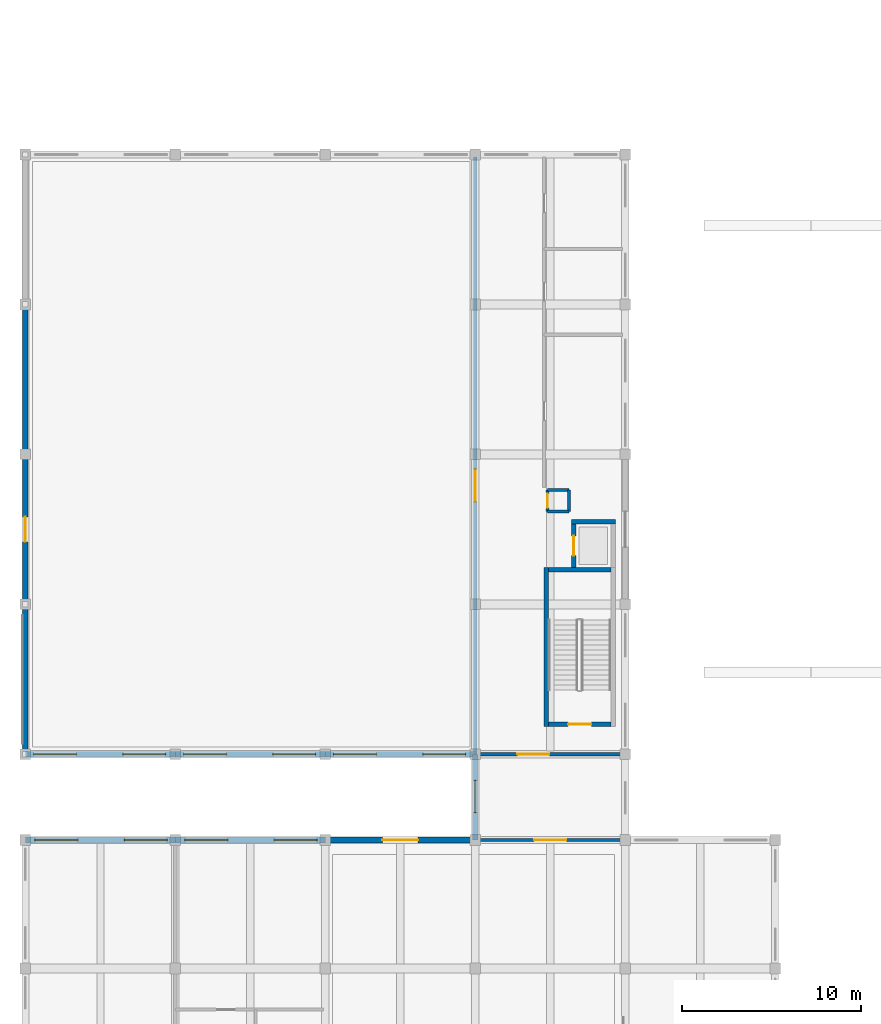
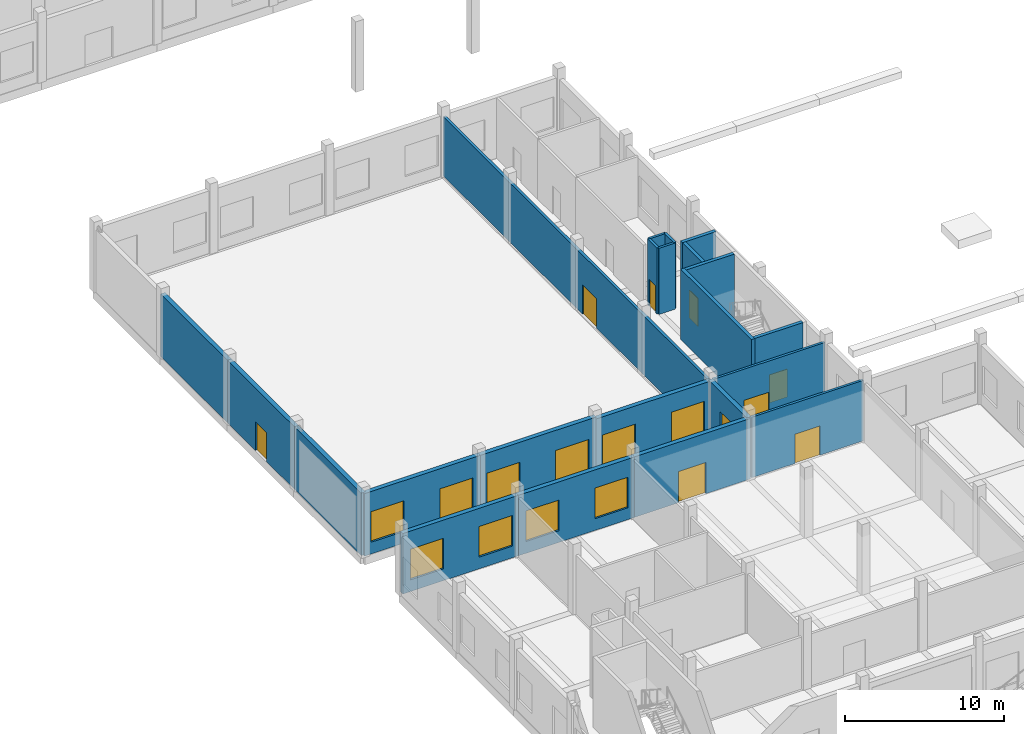
# One storey, part 17 of 41: 22 walls, 11 windows, 8 doors, 19 openings.
"""IFC4 building model written with IfcOpenShell, lengths in metres."""

from ifc_helpers import new_model, si_unit, direction, frame, frame_2d, origin, place, context, subcontext, project, spatial, rectangle, extrude, material, layer, layer_set, type_object, element, fill, save


model = new_model("IFC4")

# Units and contexts
model_context = context("Model", 3, precision=1e-05, world=origin(), true_north=direction((0.0, 1.0)))
body_context = subcontext(model_context, "Body", "Model", "MODEL_VIEW")
ifc_project = project(units=[si_unit("LENGTHUNIT", "METRE"), si_unit("AREAUNIT", "SQUARE_METRE"), si_unit("VOLUMEUNIT", "CUBIC_METRE"), si_unit("PLANEANGLEUNIT", "RADIAN"), si_unit("MASSUNIT", "GRAM", prefix="KILO")], contexts=[model_context])

# Site, building, storey
site_placement = place(None, origin())
site = spatial("IfcSite", under=ifc_project, at=site_placement, CompositionType="ELEMENT")
building_placement = place(site_placement, origin())
building = spatial("IfcBuilding", under=site, at=building_placement, Name="Kahlenmark Community Centre", CompositionType="ELEMENT")
storey_placement = place(building_placement, origin())
storey = spatial("IfcBuildingStorey", under=building, at=storey_placement, Name="L00", CompositionType="ELEMENT", Elevation=0.0)

# Wall, opening, door
ifc_material_1 = material(Name="Concrete C35/45", Category="concrete")
ifc_layer_1 = layer(ifc_material_1, 0.25)
ifc_layer_set_1 = layer_set([ifc_layer_1], Name="Concrete C35/45")
wall_type_1 = type_object("IfcWallType", Name="WT-CORE-250", PredefinedType="SHEAR", material=ifc_layer_set_1)
wall_1_placement = place(storey_placement, frame((33.300048828125, 44.074951171875, 0.0), z_axis=(0.0, 0.0, 1.0), x_axis=(1.0, 0.0, 0.0)))
wall_1 = element("IfcWall", 1, at=wall_1_placement, inside=storey, type_object=wall_type_1, Name="Core K2 shear wall WL-CORE-K2-L00-0043", PredefinedType="SHEAR", context=body_context, shape_type="SweptSolid", body=[
    extrude(rectangle(XDim=3.5, YDim=0.25, at=frame_2d((1.75, 0.0))), origin(), (0.0, 0.0, 1.0), 5.39990234375),
])
opening_1_placement = place(wall_1_placement, frame((1.10009765625, 0.0, -0.010009765625)))
opening_1 = element("IfcOpeningElement", 2, at=opening_1_placement, cuts=wall_1, Name="Opening FD-K2-L00", PredefinedType="OPENING", context=body_context, shape_type="SweptSolid", body=[
    extrude(rectangle(XDim=1.300048828125, YDim=2.159912109375, at=frame_2d((0.64990234375, 1.080078125))), frame((0.0, 0.135009765625, 0.0), z_axis=(0.0, -1.0, 0.0), x_axis=(1.0, 0.0, 0.0)), (0.0, 0.0, 1.0), 0.27001953125),
])
ifc_material_2 = material(Name="Fire-rated steel-framed timber door FD60S", Category="steel")
door_type_1 = type_object("IfcDoorType", Name="DT-FD-K2-L00", OperationType="NOTDEFINED", PredefinedType="DOOR", material=ifc_material_2)
door_1_placement = place(opening_1_placement, frame((1.300048828125, 0.0, 0.010009765625), z_axis=(0.0, 0.0, 1.0), x_axis=(-1.0, 0.0, 0.0)))
door_1 = element("IfcDoor", 3, at=door_1_placement, inside=storey, type_object=door_type_1, Name="Core K2 stair fire door L00", OperationType="SINGLE_SWING_LEFT", OverallHeight=2.14990234375, OverallWidth=1.300048828125, PredefinedType="DOOR", context=body_context, shape_type="SweptSolid", body=[
    extrude(rectangle(XDim=1.300048828125, YDim=2.14990234375, at=frame_2d((0.64990234375, 1.074951171875))), frame((0.0, 0.02490234375, 0.0), z_axis=(0.0, -1.0, 0.0), x_axis=(1.0, 0.0, 0.0)), (0.0, 0.0, 1.0), 0.050048828125),
])
fill(opening_1, door_1)

# Walls
wall_2_placement = place(storey_placement, frame((33.175048828125, 43.949951171875, 0.0), z_axis=(0.0, 0.0, 1.0), x_axis=(0.0, 1.0, 0.0)))
element("IfcWall", 4, at=wall_2_placement, inside=storey, type_object=wall_type_1, Name="Core K2 shear wall WL-CORE-K2-L00-0044", PredefinedType="SHEAR", context=body_context, shape_type="SweptSolid", body=[
    extrude(rectangle(XDim=8.900146484375, YDim=0.25, at=frame_2d((4.4501953125, 0.0))), origin(), (0.0, 0.0, 1.0), 5.39990234375),
])
wall_3_placement = place(storey_placement, frame((36.800048828125, 52.72509765625, 0.0), z_axis=(0.0, 0.0, 1.0), x_axis=(-1.0, 0.0, 0.0)))
element("IfcWall", 5, at=wall_3_placement, inside=storey, type_object=wall_type_1, Name="Core K2 shear wall WL-CORE-K2-L00-0045", PredefinedType="SHEAR", context=body_context, shape_type="SweptSolid", body=[
    extrude(rectangle(XDim=3.5, YDim=0.25, at=frame_2d((1.75, 0.0))), origin(), (0.0, 0.0, 1.0), 5.39990234375),
])
wall_4_placement = place(storey_placement, frame((34.590087890625, 55.43505859375, 0.0), z_axis=(0.0, 0.0, 1.0), x_axis=(1.0, 0.0, 0.0)))
element("IfcWall", 6, at=wall_4_placement, inside=storey, type_object=wall_type_1, Name="Core K2 shear wall WL-CORE-K2-L00-0047", PredefinedType="SHEAR", context=body_context, shape_type="SweptSolid", body=[
    extrude(rectangle(XDim=2.4599609375, YDim=0.25, at=frame_2d((1.22998046875, 0.0))), origin(), (0.0, 0.0, 1.0), 5.39990234375),
])

# Wall, opening, door
wall_5_placement = place(storey_placement, frame((34.715087890625, 52.85009765625, 0.0), z_axis=(0.0, 0.0, 1.0), x_axis=(0.0, 1.0, 0.0)))
wall_5 = element("IfcWall", 7, at=wall_5_placement, inside=storey, type_object=wall_type_1, Name="Core K2 shear wall WL-CORE-K2-L00-0048", PredefinedType="SHEAR", context=body_context, shape_type="SweptSolid", body=[
    extrude(rectangle(XDim=2.4599609375, YDim=0.25, at=frame_2d((1.22998046875, 0.0))), origin(), (0.0, 0.0, 1.0), 5.39990234375),
])
opening_2_placement = place(wall_5_placement, frame((0.679931640625, 0.0, -0.010009765625)))
opening_2 = element("IfcOpeningElement", 8, at=opening_2_placement, cuts=wall_5, Name="Opening LD-2", PredefinedType="OPENING", context=body_context, shape_type="SweptSolid", body=[
    extrude(rectangle(XDim=1.10009765625, YDim=2.159912109375, at=frame_2d((0.550048828125, 1.080078125))), frame((0.0, 0.135009765625, 0.0), z_axis=(0.0, -1.0, 0.0), x_axis=(1.0, 0.0, 0.0)), (0.0, 0.0, 1.0), 0.27001953125),
])
ifc_material_3 = material(Name="Brushed stainless steel sliding lift landing door", Category="steel")
door_type_2 = type_object("IfcDoorType", Name="DT-LD-K2", OperationType="SLIDING_TO_LEFT", PredefinedType="DOOR", material=ifc_material_3)
door_2_placement = place(opening_2_placement, frame((0.0, 0.0, 0.010009765625)))
door_2 = element("IfcDoor", 9, at=door_2_placement, inside=storey, type_object=door_type_2, Name="Lift LF-02 sliding landing door L00", OperationType="SLIDING_TO_LEFT", OverallHeight=2.14990234375, OverallWidth=1.10009765625, PredefinedType="DOOR", context=body_context, shape_type="SweptSolid", body=[
    extrude(rectangle(XDim=1.10009765625, YDim=2.14990234375, at=frame_2d((0.550048828125, 1.074951171875))), frame((0.0, 0.02490234375, 0.0), z_axis=(0.0, -1.0, 0.0), x_axis=(1.0, 0.0, 0.0)), (0.0, 0.0, 1.0), 0.050048828125),
])
fill(opening_2, door_2)

# Wall, openings, windows
ifc_material_4 = material(Name="Danube limestone masonry", Category="masonry")
ifc_layer_2 = layer(ifc_material_4, 0.320068359375)
ifc_layer_set_2 = layer_set([ifc_layer_2], Name="Danube limestone masonry")
wall_type_2 = type_object("IfcWallType", Name="WT-EW-320", PredefinedType="SOLIDWALL", material=ifc_layer_set_2)
wall_6_placement = place(storey_placement, frame((12.39990234375, 37.60009765625, 0.0), z_axis=(0.0, 0.0, 1.0), x_axis=(-1.0, 0.0, 0.0)))
wall_6 = element("IfcWall", 10, at=wall_6_placement, inside=storey, type_object=wall_type_2, Name="Exterior wall WL-EXT-L00-0140", PredefinedType="SOLIDWALL", context=body_context, shape_type="SweptSolid", body=[
    extrude(rectangle(XDim=8.39990234375, YDim=0.320068359375, at=frame_2d((4.199951171875, 0.0))), origin(), (0.0, 0.0, 1.0), 4.639892578125),
])
opening_3_placement = place(wall_6_placement, frame((0.4599609375, 0.0, 0.89990234375)))
opening_3 = element("IfcOpeningElement", 11, at=opening_3_placement, cuts=wall_6, Name="Opening W-240X235", PredefinedType="OPENING", context=body_context, shape_type="SweptSolid", body=[
    extrude(rectangle(XDim=2.39990234375, YDim=2.35009765625, at=frame_2d((1.199951171875, 1.175048828125))), frame((0.0, 0.169921875, 0.0), z_axis=(0.0, -1.0, 0.0), x_axis=(1.0, 0.0, 0.0)), (0.0, 0.0, 1.0), 0.340087890625),
])
opening_4_placement = place(wall_6_placement, frame((5.4599609375, 0.0, 0.89990234375)))
opening_4 = element("IfcOpeningElement", 12, at=opening_4_placement, cuts=wall_6, Name="Opening W-240X235", PredefinedType="OPENING", context=body_context, shape_type="SweptSolid", body=[
    extrude(rectangle(XDim=2.39990234375, YDim=2.35009765625, at=frame_2d((1.199951171875, 1.175048828125))), frame((0.0, 0.169921875, 0.0), z_axis=(0.0, -1.0, 0.0), x_axis=(1.0, 0.0, 0.0)), (0.0, 0.0, 1.0), 0.340087890625),
])
ifc_material_5 = material(Name="Triple low-e insulated glazing in timber-aluminium frame", Category="wood")
window_type_1 = type_object("IfcWindowType", Name="WNT-240X235", PartitioningType="TRIPLE_PANEL_VERTICAL", PredefinedType="WINDOW", material=ifc_material_5)
window_1_placement = place(opening_3_placement, origin())
window_1 = element("IfcWindow", 13, at=window_1_placement, inside=storey, type_object=window_type_1, Name="Window W-240X235 #0008", OverallHeight=2.35009765625, OverallWidth=2.39990234375, PartitioningType="TRIPLE_PANEL_VERTICAL", PredefinedType="WINDOW", context=body_context, shape_type="SweptSolid", body=[
    extrude(rectangle(XDim=2.39990234375, YDim=2.35009765625, at=frame_2d((1.199951171875, 1.175048828125))), frame((0.0, 0.030029296875, 0.0), z_axis=(0.0, -1.0, 0.0), x_axis=(1.0, 0.0, 0.0)), (0.0, 0.0, 1.0), 0.06005859375),
])
fill(opening_3, window_1)
window_2_placement = place(opening_4_placement, origin())
window_2 = element("IfcWindow", 14, at=window_2_placement, inside=storey, type_object=window_type_1, Name="Window W-240X235 #0009", OverallHeight=2.35009765625, OverallWidth=2.39990234375, PartitioningType="TRIPLE_PANEL_VERTICAL", PredefinedType="WINDOW", context=body_context, shape_type="SweptSolid", body=[
    extrude(rectangle(XDim=2.39990234375, YDim=2.35009765625, at=frame_2d((1.199951171875, 1.175048828125))), frame((0.0, 0.030029296875, 0.0), z_axis=(0.0, -1.0, 0.0), x_axis=(1.0, 0.0, 0.0)), (0.0, 0.0, 1.0), 0.06005859375),
])
fill(opening_4, window_2)

wall_7_placement = place(storey_placement, frame((20.800048828125, 37.60009765625, 0.0), z_axis=(0.0, 0.0, 1.0), x_axis=(-1.0, 0.0, 0.0)))
wall_7 = element("IfcWall", 15, at=wall_7_placement, inside=storey, type_object=wall_type_2, Name="Exterior wall WL-EXT-L00-0141", PredefinedType="SOLIDWALL", context=body_context, shape_type="SweptSolid", body=[
    extrude(rectangle(XDim=8.400146484375, YDim=0.320068359375, at=frame_2d((4.2001953125, 0.0))), origin(), (0.0, 0.0, 1.0), 4.639892578125),
])
opening_5_placement = place(wall_7_placement, frame((0.4599609375, 0.0, 0.89990234375)))
opening_5 = element("IfcOpeningElement", 16, at=opening_5_placement, cuts=wall_7, Name="Opening W-240X235", PredefinedType="OPENING", context=body_context, shape_type="SweptSolid", body=[
    extrude(rectangle(XDim=2.39990234375, YDim=2.35009765625, at=frame_2d((1.199951171875, 1.175048828125))), frame((0.0, 0.169921875, 0.0), z_axis=(0.0, -1.0, 0.0), x_axis=(1.0, 0.0, 0.0)), (0.0, 0.0, 1.0), 0.340087890625),
])
opening_6_placement = place(wall_7_placement, frame((5.4599609375, 0.0, 0.89990234375)))
opening_6 = element("IfcOpeningElement", 17, at=opening_6_placement, cuts=wall_7, Name="Opening W-240X235", PredefinedType="OPENING", context=body_context, shape_type="SweptSolid", body=[
    extrude(rectangle(XDim=2.39990234375, YDim=2.35009765625, at=frame_2d((1.199951171875, 1.175048828125))), frame((0.0, 0.169921875, 0.0), z_axis=(0.0, -1.0, 0.0), x_axis=(1.0, 0.0, 0.0)), (0.0, 0.0, 1.0), 0.340087890625),
])
window_3_placement = place(opening_5_placement, origin())
window_3 = element("IfcWindow", 18, at=window_3_placement, inside=storey, type_object=window_type_1, Name="Window W-240X235 #0010", OverallHeight=2.35009765625, OverallWidth=2.39990234375, PartitioningType="TRIPLE_PANEL_VERTICAL", PredefinedType="WINDOW", context=body_context, shape_type="SweptSolid", body=[
    extrude(rectangle(XDim=2.39990234375, YDim=2.35009765625, at=frame_2d((1.199951171875, 1.175048828125))), frame((0.0, 0.030029296875, 0.0), z_axis=(0.0, -1.0, 0.0), x_axis=(1.0, 0.0, 0.0)), (0.0, 0.0, 1.0), 0.06005859375),
])
fill(opening_5, window_3)
window_4_placement = place(opening_6_placement, origin())
window_4 = element("IfcWindow", 19, at=window_4_placement, inside=storey, type_object=window_type_1, Name="Window W-240X235 #0011", OverallHeight=2.35009765625, OverallWidth=2.39990234375, PartitioningType="TRIPLE_PANEL_VERTICAL", PredefinedType="WINDOW", context=body_context, shape_type="SweptSolid", body=[
    extrude(rectangle(XDim=2.39990234375, YDim=2.35009765625, at=frame_2d((1.199951171875, 1.175048828125))), frame((0.0, 0.030029296875, 0.0), z_axis=(0.0, -1.0, 0.0), x_axis=(1.0, 0.0, 0.0)), (0.0, 0.0, 1.0), 0.06005859375),
])
fill(opening_6, window_4)

# Wall, opening, door
wall_8_placement = place(storey_placement, frame((29.199951171875, 37.60009765625, 0.0), z_axis=(0.0, 0.0, 1.0), x_axis=(-1.0, 0.0, 0.0)))
wall_8 = element("IfcWall", 20, at=wall_8_placement, inside=storey, type_object=wall_type_2, Name="Exterior wall WL-EXT-L00-0142", PredefinedType="SOLIDWALL", context=body_context, shape_type="SweptSolid", body=[
    extrude(rectangle(XDim=8.39990234375, YDim=0.320068359375, at=frame_2d((4.199951171875, 0.0))), origin(), (0.0, 0.0, 1.0), 4.639892578125),
])
opening_7_placement = place(wall_8_placement, frame((3.199951171875, 0.0, -0.010009765625)))
opening_7 = element("IfcOpeningElement", 21, at=opening_7_placement, cuts=wall_8, Name="Opening D-EX02", PredefinedType="OPENING", context=body_context, shape_type="SweptSolid", body=[
    extrude(rectangle(XDim=2.0, YDim=2.409912109375, at=frame_2d((1.0, 1.205078125))), frame((0.0, 0.169921875, 0.0), z_axis=(0.0, -1.0, 0.0), x_axis=(1.0, 0.0, 0.0)), (0.0, 0.0, 1.0), 0.340087890625),
])
ifc_material_6 = material(Name="Thermally broken glazed aluminium double entrance door", Category="aluminium")
door_type_3 = type_object("IfcDoorType", Name="DT-EXT-200X240", OperationType="NOTDEFINED", PredefinedType="DOOR", material=ifc_material_6)
door_3_placement = place(opening_7_placement, frame((0.0, 0.0, 0.010009765625)))
door_3 = element("IfcDoor", 22, at=door_3_placement, inside=storey, type_object=door_type_3, Name="Exterior door D-EX02", OperationType="DOUBLE_SWING_LEFT", OverallHeight=2.39990234375, OverallWidth=2.0, PredefinedType="DOOR", context=body_context, shape_type="SweptSolid", body=[
    extrude(rectangle(XDim=2.0, YDim=2.39990234375, at=frame_2d((1.0, 1.199951171875))), frame((0.0, 0.02490234375, 0.0), z_axis=(0.0, -1.0, 0.0), x_axis=(1.0, 0.0, 0.0)), (0.0, 0.0, 1.0), 0.050048828125),
])
fill(opening_7, door_3)

# Wall, openings, windows
wall_9_placement = place(storey_placement, frame((4.0, 42.39990234375, 0.0), z_axis=(0.0, 0.0, 1.0), x_axis=(1.0, 0.0, 0.0)))
wall_9 = element("IfcWall", 23, at=wall_9_placement, inside=storey, type_object=wall_type_2, Name="Exterior wall WL-EXT-L00-0152", PredefinedType="SOLIDWALL", context=body_context, shape_type="SweptSolid", body=[
    extrude(rectangle(XDim=8.39990234375, YDim=0.320068359375, at=frame_2d((4.199951171875, 0.0))), origin(), (0.0, 0.0, 1.0), 4.7900390625),
])
opening_8_placement = place(wall_9_placement, frame((0.4599609375, 0.0, 0.89990234375)))
opening_8 = element("IfcOpeningElement", 24, at=opening_8_placement, cuts=wall_9, Name="Opening W-240X235", PredefinedType="OPENING", context=body_context, shape_type="SweptSolid", body=[
    extrude(rectangle(XDim=2.39990234375, YDim=2.35009765625, at=frame_2d((1.199951171875, 1.175048828125))), frame((0.0, 0.169921875, 0.0), z_axis=(0.0, -1.0, 0.0), x_axis=(1.0, 0.0, 0.0)), (0.0, 0.0, 1.0), 0.340087890625),
])
opening_9_placement = place(wall_9_placement, frame((5.4599609375, 0.0, 0.89990234375)))
opening_9 = element("IfcOpeningElement", 25, at=opening_9_placement, cuts=wall_9, Name="Opening W-240X235", PredefinedType="OPENING", context=body_context, shape_type="SweptSolid", body=[
    extrude(rectangle(XDim=2.39990234375, YDim=2.35009765625, at=frame_2d((1.199951171875, 1.175048828125))), frame((0.0, 0.169921875, 0.0), z_axis=(0.0, -1.0, 0.0), x_axis=(1.0, 0.0, 0.0)), (0.0, 0.0, 1.0), 0.340087890625),
])
window_5_placement = place(opening_8_placement, origin())
window_5 = element("IfcWindow", 26, at=window_5_placement, inside=storey, type_object=window_type_1, Name="Window W-240X235 #0028", OverallHeight=2.35009765625, OverallWidth=2.39990234375, PartitioningType="TRIPLE_PANEL_VERTICAL", PredefinedType="WINDOW", context=body_context, shape_type="SweptSolid", body=[
    extrude(rectangle(XDim=2.39990234375, YDim=2.35009765625, at=frame_2d((1.199951171875, 1.175048828125))), frame((0.0, 0.030029296875, 0.0), z_axis=(0.0, -1.0, 0.0), x_axis=(1.0, 0.0, 0.0)), (0.0, 0.0, 1.0), 0.06005859375),
])
fill(opening_8, window_5)
window_6_placement = place(opening_9_placement, origin())
window_6 = element("IfcWindow", 27, at=window_6_placement, inside=storey, type_object=window_type_1, Name="Window W-240X235 #0029", OverallHeight=2.35009765625, OverallWidth=2.39990234375, PartitioningType="TRIPLE_PANEL_VERTICAL", PredefinedType="WINDOW", context=body_context, shape_type="SweptSolid", body=[
    extrude(rectangle(XDim=2.39990234375, YDim=2.35009765625, at=frame_2d((1.199951171875, 1.175048828125))), frame((0.0, 0.030029296875, 0.0), z_axis=(0.0, -1.0, 0.0), x_axis=(1.0, 0.0, 0.0)), (0.0, 0.0, 1.0), 0.06005859375),
])
fill(opening_9, window_6)

wall_10_placement = place(storey_placement, frame((12.39990234375, 42.39990234375, 0.0), z_axis=(0.0, 0.0, 1.0), x_axis=(1.0, 0.0, 0.0)))
wall_10 = element("IfcWall", 28, at=wall_10_placement, inside=storey, type_object=wall_type_2, Name="Exterior wall WL-EXT-L00-0153", PredefinedType="SOLIDWALL", context=body_context, shape_type="SweptSolid", body=[
    extrude(rectangle(XDim=8.400146484375, YDim=0.320068359375, at=frame_2d((4.2001953125, 0.0))), origin(), (0.0, 0.0, 1.0), 4.7900390625),
])
opening_10_placement = place(wall_10_placement, frame((0.4599609375, 0.0, 0.89990234375)))
opening_10 = element("IfcOpeningElement", 29, at=opening_10_placement, cuts=wall_10, Name="Opening W-240X235", PredefinedType="OPENING", context=body_context, shape_type="SweptSolid", body=[
    extrude(rectangle(XDim=2.39990234375, YDim=2.35009765625, at=frame_2d((1.199951171875, 1.175048828125))), frame((0.0, 0.169921875, 0.0), z_axis=(0.0, -1.0, 0.0), x_axis=(1.0, 0.0, 0.0)), (0.0, 0.0, 1.0), 0.340087890625),
])
opening_11_placement = place(wall_10_placement, frame((5.4599609375, 0.0, 0.89990234375)))
opening_11 = element("IfcOpeningElement", 30, at=opening_11_placement, cuts=wall_10, Name="Opening W-240X235", PredefinedType="OPENING", context=body_context, shape_type="SweptSolid", body=[
    extrude(rectangle(XDim=2.39990234375, YDim=2.35009765625, at=frame_2d((1.199951171875, 1.175048828125))), frame((0.0, 0.169921875, 0.0), z_axis=(0.0, -1.0, 0.0), x_axis=(1.0, 0.0, 0.0)), (0.0, 0.0, 1.0), 0.340087890625),
])
window_7_placement = place(opening_10_placement, origin())
window_7 = element("IfcWindow", 31, at=window_7_placement, inside=storey, type_object=window_type_1, Name="Window W-240X235 #0030", OverallHeight=2.35009765625, OverallWidth=2.39990234375, PartitioningType="TRIPLE_PANEL_VERTICAL", PredefinedType="WINDOW", context=body_context, shape_type="SweptSolid", body=[
    extrude(rectangle(XDim=2.39990234375, YDim=2.35009765625, at=frame_2d((1.199951171875, 1.175048828125))), frame((0.0, 0.030029296875, 0.0), z_axis=(0.0, -1.0, 0.0), x_axis=(1.0, 0.0, 0.0)), (0.0, 0.0, 1.0), 0.06005859375),
])
fill(opening_10, window_7)
window_8_placement = place(opening_11_placement, origin())
window_8 = element("IfcWindow", 32, at=window_8_placement, inside=storey, type_object=window_type_1, Name="Window W-240X235 #0031", OverallHeight=2.35009765625, OverallWidth=2.39990234375, PartitioningType="TRIPLE_PANEL_VERTICAL", PredefinedType="WINDOW", context=body_context, shape_type="SweptSolid", body=[
    extrude(rectangle(XDim=2.39990234375, YDim=2.35009765625, at=frame_2d((1.199951171875, 1.175048828125))), frame((0.0, 0.030029296875, 0.0), z_axis=(0.0, -1.0, 0.0), x_axis=(1.0, 0.0, 0.0)), (0.0, 0.0, 1.0), 0.06005859375),
])
fill(opening_11, window_8)

wall_11_placement = place(storey_placement, frame((20.800048828125, 42.39990234375, 0.0), z_axis=(0.0, 0.0, 1.0), x_axis=(1.0, 0.0, 0.0)))
wall_11 = element("IfcWall", 33, at=wall_11_placement, inside=storey, type_object=wall_type_2, Name="Exterior wall WL-EXT-L00-0154", PredefinedType="SOLIDWALL", context=body_context, shape_type="SweptSolid", body=[
    extrude(rectangle(XDim=8.39990234375, YDim=0.320068359375, at=frame_2d((4.199951171875, 0.0))), origin(), (0.0, 0.0, 1.0), 4.639892578125),
])
opening_12_placement = place(wall_11_placement, frame((0.4599609375, 0.0, 0.89990234375)))
opening_12 = element("IfcOpeningElement", 34, at=opening_12_placement, cuts=wall_11, Name="Opening W-240X235", PredefinedType="OPENING", context=body_context, shape_type="SweptSolid", body=[
    extrude(rectangle(XDim=2.39990234375, YDim=2.35009765625, at=frame_2d((1.199951171875, 1.175048828125))), frame((0.0, 0.169921875, 0.0), z_axis=(0.0, -1.0, 0.0), x_axis=(1.0, 0.0, 0.0)), (0.0, 0.0, 1.0), 0.340087890625),
])
opening_13_placement = place(wall_11_placement, frame((5.4599609375, 0.0, 0.89990234375)))
opening_13 = element("IfcOpeningElement", 35, at=opening_13_placement, cuts=wall_11, Name="Opening W-240X235", PredefinedType="OPENING", context=body_context, shape_type="SweptSolid", body=[
    extrude(rectangle(XDim=2.39990234375, YDim=2.35009765625, at=frame_2d((1.199951171875, 1.175048828125))), frame((0.0, 0.169921875, 0.0), z_axis=(0.0, -1.0, 0.0), x_axis=(1.0, 0.0, 0.0)), (0.0, 0.0, 1.0), 0.340087890625),
])
window_9_placement = place(opening_12_placement, origin())
window_9 = element("IfcWindow", 36, at=window_9_placement, inside=storey, type_object=window_type_1, Name="Window W-240X235 #0032", OverallHeight=2.35009765625, OverallWidth=2.39990234375, PartitioningType="TRIPLE_PANEL_VERTICAL", PredefinedType="WINDOW", context=body_context, shape_type="SweptSolid", body=[
    extrude(rectangle(XDim=2.39990234375, YDim=2.35009765625, at=frame_2d((1.199951171875, 1.175048828125))), frame((0.0, 0.030029296875, 0.0), z_axis=(0.0, -1.0, 0.0), x_axis=(1.0, 0.0, 0.0)), (0.0, 0.0, 1.0), 0.06005859375),
])
fill(opening_12, window_9)
window_10_placement = place(opening_13_placement, origin())
window_10 = element("IfcWindow", 37, at=window_10_placement, inside=storey, type_object=window_type_1, Name="Window W-240X235 #0033", OverallHeight=2.35009765625, OverallWidth=2.39990234375, PartitioningType="TRIPLE_PANEL_VERTICAL", PredefinedType="WINDOW", context=body_context, shape_type="SweptSolid", body=[
    extrude(rectangle(XDim=2.39990234375, YDim=2.35009765625, at=frame_2d((1.199951171875, 1.175048828125))), frame((0.0, 0.030029296875, 0.0), z_axis=(0.0, -1.0, 0.0), x_axis=(1.0, 0.0, 0.0)), (0.0, 0.0, 1.0), 0.06005859375),
])
fill(opening_13, window_10)

# Wall
wall_12_placement = place(storey_placement, frame((4.0, 50.800048828125, 0.0), z_axis=(0.0, 0.0, 1.0), x_axis=(0.0, -1.0, 0.0)))
element("IfcWall", 38, at=wall_12_placement, inside=storey, type_object=wall_type_2, Name="Exterior wall WL-EXT-L00-0159", PredefinedType="SOLIDWALL", context=body_context, shape_type="SweptSolid", body=[
    extrude(rectangle(XDim=8.400146484375, YDim=0.320068359375, at=frame_2d((4.2001953125, 0.0))), origin(), (0.0, 0.0, 1.0), 4.7900390625),
])

# Wall, opening, door
wall_13_placement = place(storey_placement, frame((4.0, 59.199951171875, 0.0), z_axis=(0.0, 0.0, 1.0), x_axis=(0.0, -1.0, 0.0)))
wall_13 = element("IfcWall", 39, at=wall_13_placement, inside=storey, type_object=wall_type_2, Name="Exterior wall WL-EXT-L00-0160", PredefinedType="SOLIDWALL", context=body_context, shape_type="SweptSolid", body=[
    extrude(rectangle(XDim=8.39990234375, YDim=0.320068359375, at=frame_2d((4.199951171875, 0.0))), origin(), (0.0, 0.0, 1.0), 4.7900390625),
])
opening_14_placement = place(wall_13_placement, frame((3.5, 0.0, -0.010009765625)))
opening_14 = element("IfcOpeningElement", 40, at=opening_14_placement, cuts=wall_13, Name="Opening D-EX01", PredefinedType="OPENING", context=body_context, shape_type="SweptSolid", body=[
    extrude(rectangle(XDim=1.39990234375, YDim=2.2099609375, at=frame_2d((0.699951171875, 1.10498046875))), frame((0.0, 0.169921875, 0.0), z_axis=(0.0, -1.0, 0.0), x_axis=(1.0, 0.0, 0.0)), (0.0, 0.0, 1.0), 0.340087890625),
])
ifc_material_7 = material(Name="Panic-bar insulated steel exit door", Category="steel")
door_type_4 = type_object("IfcDoorType", Name="DT-EXIT-140X220", OperationType="NOTDEFINED", PredefinedType="DOOR", material=ifc_material_7)
door_4_placement = place(opening_14_placement, frame((0.0, 0.0, 0.010009765625)))
door_4 = element("IfcDoor", 41, at=door_4_placement, inside=storey, type_object=door_type_4, Name="Exterior door D-EX01", OperationType="SINGLE_SWING_LEFT", OverallHeight=2.199951171875, OverallWidth=1.39990234375, PredefinedType="DOOR", context=body_context, shape_type="SweptSolid", body=[
    extrude(rectangle(XDim=1.39990234375, YDim=2.199951171875, at=frame_2d((0.699951171875, 1.10009765625))), frame((0.0, 0.02490234375, 0.0), z_axis=(0.0, -1.0, 0.0), x_axis=(1.0, 0.0, 0.0)), (0.0, 0.0, 1.0), 0.050048828125),
])
fill(opening_14, door_4)

# Wall
wall_14_placement = place(storey_placement, frame((4.0, 67.60009765625, 0.0), z_axis=(0.0, 0.0, 1.0), x_axis=(0.0, -1.0, 0.0)))
element("IfcWall", 42, at=wall_14_placement, inside=storey, type_object=wall_type_2, Name="Exterior wall WL-EXT-L00-0161", PredefinedType="SOLIDWALL", context=body_context, shape_type="SweptSolid", body=[
    extrude(rectangle(XDim=8.400146484375, YDim=0.320068359375, at=frame_2d((4.2001953125, 0.0))), origin(), (0.0, 0.0, 1.0), 4.7900390625),
])

# Wall, opening, window
wall_15_placement = place(storey_placement, frame((29.199951171875, 42.39990234375, 0.0), z_axis=(0.0, 0.0, 1.0), x_axis=(0.0, -1.0, 0.0)))
wall_15 = element("IfcWall", 43, at=wall_15_placement, inside=storey, type_object=wall_type_2, Name="Exterior wall WL-EXT-L00-0239", PredefinedType="SOLIDWALL", context=body_context, shape_type="SweptSolid", body=[
    extrude(rectangle(XDim=4.7998046875, YDim=0.320068359375, at=frame_2d((2.39990234375, 0.0))), origin(), (0.0, 0.0, 1.0), 4.639892578125),
])
opening_15_placement = place(wall_15_placement, frame((1.4599609375, 0.0, 0.89990234375)))
opening_15 = element("IfcOpeningElement", 44, at=opening_15_placement, cuts=wall_15, Name="Opening W-180X220", PredefinedType="OPENING", context=body_context, shape_type="SweptSolid", body=[
    extrude(rectangle(XDim=1.800048828125, YDim=2.199951171875, at=frame_2d((0.89990234375, 1.10009765625))), frame((0.0, 0.169921875, 0.0), z_axis=(0.0, -1.0, 0.0), x_axis=(1.0, 0.0, 0.0)), (0.0, 0.0, 1.0), 0.340087890625),
])
window_type_2 = type_object("IfcWindowType", Name="WNT-180X220", PartitioningType="DOUBLE_PANEL_VERTICAL", PredefinedType="WINDOW", material=ifc_material_5)
window_11_placement = place(opening_15_placement, origin())
window_11 = element("IfcWindow", 45, at=window_11_placement, inside=storey, type_object=window_type_2, Name="Window W-180X220 #0159", OverallHeight=2.199951171875, OverallWidth=1.800048828125, PartitioningType="DOUBLE_PANEL_VERTICAL", PredefinedType="WINDOW", context=body_context, shape_type="SweptSolid", body=[
    extrude(rectangle(XDim=1.800048828125, YDim=2.199951171875, at=frame_2d((0.89990234375, 1.10009765625))), frame((0.0, 0.030029296875, 0.0), z_axis=(0.0, -1.0, 0.0), x_axis=(1.0, 0.0, 0.0)), (0.0, 0.0, 1.0), 0.06005859375),
])
fill(opening_15, window_11)

# Wall, opening, door
ifc_material_8 = material(Name="Gypsum plasterboard partition", Category="gypsum")
ifc_layer_3 = layer(ifc_material_8, 0.179931640625)
ifc_layer_set_3 = layer_set([ifc_layer_3], Name="Gypsum plasterboard partition")
wall_type_3 = type_object("IfcWallType", Name="WT-PW-180", PredefinedType="PARTITIONING", material=ifc_layer_set_3)
wall_16_placement = place(storey_placement, frame((29.35009765625, 37.60009765625, 0.0), z_axis=(0.0, 0.0, 1.0), x_axis=(1.0, 0.0, 0.0)))
wall_16 = element("IfcWall", 46, at=wall_16_placement, inside=storey, type_object=wall_type_3, Name="Interior partition WL-INT-L00-0023", PredefinedType="PARTITIONING", context=body_context, shape_type="SweptSolid", body=[
    extrude(rectangle(XDim=8.099853515625, YDim=0.179931640625, at=frame_2d((4.0498046875, 0.0))), origin(), (0.0, 0.0, 1.0), 4.639892578125),
])
opening_16_placement = place(wall_16_placement, frame((3.14990234375, 0.0, -0.010009765625)))
opening_16 = element("IfcOpeningElement", 47, at=opening_16_placement, cuts=wall_16, Name="Opening D-L00-015", PredefinedType="OPENING", context=body_context, shape_type="SweptSolid", body=[
    extrude(rectangle(XDim=1.800048828125, YDim=2.260009765625, at=frame_2d((0.89990234375, 1.1298828125))), frame((0.0, 0.099853515625, 0.0), z_axis=(0.0, -1.0, 0.0), x_axis=(1.0, 0.0, 0.0)), (0.0, 0.0, 1.0), 0.199951171875),
])
ifc_material_9 = material(Name="Fire-rated double corridor door FD60S")
door_type_5 = type_object("IfcDoorType", Name="DT-FD60-180X225", OperationType="NOTDEFINED", PredefinedType="DOOR", material=ifc_material_9)
door_5_placement = place(opening_16_placement, frame((1.800048828125, 0.0, 0.010009765625), z_axis=(0.0, 0.0, 1.0), x_axis=(-1.0, 0.0, 0.0)))
door_5 = element("IfcDoor", 48, at=door_5_placement, inside=storey, type_object=door_type_5, Name="Interior door D-L00-015", OperationType="DOUBLE_SWING_LEFT", OverallHeight=2.25, OverallWidth=1.800048828125, PredefinedType="DOOR", context=body_context, shape_type="SweptSolid", body=[
    extrude(rectangle(XDim=1.800048828125, YDim=2.25, at=frame_2d((0.89990234375, 1.125))), frame((0.0, 0.02490234375, 0.0), z_axis=(0.0, -1.0, 0.0), x_axis=(1.0, 0.0, 0.0)), (0.0, 0.0, 1.0), 0.050048828125),
])
fill(opening_16, door_5)

wall_17_placement = place(storey_placement, frame((29.35009765625, 42.39990234375, 0.0), z_axis=(0.0, 0.0, 1.0), x_axis=(1.0, 0.0, 0.0)))
wall_17 = element("IfcWall", 49, at=wall_17_placement, inside=storey, type_object=wall_type_3, Name="Interior partition WL-INT-L00-0024", PredefinedType="PARTITIONING", context=body_context, shape_type="SweptSolid", body=[
    extrude(rectangle(XDim=8.099853515625, YDim=0.179931640625, at=frame_2d((4.0498046875, 0.0))), origin(), (0.0, 0.0, 1.0), 4.639892578125),
])
opening_17_placement = place(wall_17_placement, frame((2.205078125, 0.0, -0.010009765625)))
opening_17 = element("IfcOpeningElement", 50, at=opening_17_placement, cuts=wall_17, Name="Opening D-L00-016", PredefinedType="OPENING", context=body_context, shape_type="SweptSolid", body=[
    extrude(rectangle(XDim=1.800048828125, YDim=2.260009765625, at=frame_2d((0.89990234375, 1.1298828125))), frame((0.0, 0.099853515625, 0.0), z_axis=(0.0, -1.0, 0.0), x_axis=(1.0, 0.0, 0.0)), (0.0, 0.0, 1.0), 0.199951171875),
])
door_6_placement = place(opening_17_placement, frame((0.0, 0.0, 0.010009765625)))
door_6 = element("IfcDoor", 51, at=door_6_placement, inside=storey, type_object=door_type_5, Name="Interior door D-L00-016", OperationType="DOUBLE_SWING_LEFT", OverallHeight=2.25, OverallWidth=1.800048828125, PredefinedType="DOOR", context=body_context, shape_type="SweptSolid", body=[
    extrude(rectangle(XDim=1.800048828125, YDim=2.25, at=frame_2d((0.89990234375, 1.125))), frame((0.0, 0.02490234375, 0.0), z_axis=(0.0, -1.0, 0.0), x_axis=(1.0, 0.0, 0.0)), (0.0, 0.0, 1.0), 0.050048828125),
])
fill(opening_17, door_6)

ifc_material_10 = material(Name="Masonry blockwork", Category="masonry")
ifc_layer_4 = layer(ifc_material_10, 0.199951171875)
ifc_layer_set_4 = layer_set([ifc_layer_4], Name="Masonry blockwork")
wall_type_4 = type_object("IfcWallType", Name="WT-PW-200", PredefinedType="PARTITIONING", material=ifc_layer_set_4)
wall_18_placement = place(storey_placement, frame((29.199951171875, 42.25, 0.0), z_axis=(0.0, 0.0, 1.0), x_axis=(0.0, 1.0, 0.0)))
wall_18 = element("IfcWall", 52, at=wall_18_placement, inside=storey, type_object=wall_type_4, Name="Interior partition WL-INT-L00-0025", PredefinedType="PARTITIONING", context=body_context, shape_type="SweptSolid", body=[
    extrude(rectangle(XDim=33.60009765625, YDim=0.199951171875, at=frame_2d((16.800048828125, 0.0))), origin(), (0.0, 0.0, 1.0), 4.5400390625),
])
opening_18_placement = place(wall_18_placement, frame((14.31005859375, 0.0, -0.010009765625)))
opening_18 = element("IfcOpeningElement", 53, at=opening_18_placement, cuts=wall_18, Name="Opening D-L00-017", PredefinedType="OPENING", context=body_context, shape_type="SweptSolid", body=[
    extrude(rectangle(XDim=1.800048828125, YDim=2.260009765625, at=frame_2d((0.89990234375, 1.1298828125))), frame((0.0, 0.10986328125, 0.0), z_axis=(0.0, -1.0, 0.0), x_axis=(1.0, 0.0, 0.0)), (0.0, 0.0, 1.0), 0.219970703125),
])
door_7_placement = place(opening_18_placement, frame((0.0, 0.0, 0.010009765625)))
door_7 = element("IfcDoor", 54, at=door_7_placement, inside=storey, type_object=door_type_5, Name="Interior door D-L00-017", OperationType="DOUBLE_SWING_LEFT", OverallHeight=2.25, OverallWidth=1.800048828125, PredefinedType="DOOR", context=body_context, shape_type="SweptSolid", body=[
    extrude(rectangle(XDim=1.800048828125, YDim=2.25, at=frame_2d((0.89990234375, 1.125))), frame((0.0, 0.02490234375, 0.0), z_axis=(0.0, -1.0, 0.0), x_axis=(1.0, 0.0, 0.0)), (0.0, 0.0, 1.0), 0.050048828125),
])
fill(opening_18, door_7)

# Walls
ifc_layer_5 = layer(ifc_material_10, 0.179931640625)
ifc_layer_set_5 = layer_set([ifc_layer_5], Name="Masonry blockwork")
wall_type_5 = type_object("IfcWallType", Name="WT-RISER-180", PredefinedType="SOLIDWALL", material=ifc_layer_set_5)
for number, where, z_axis, x_axis, name in (
    (55, (33.25, 56.0, 0.0), (0.0, 0.0, 1.0), (1.0, 0.0, 0.0), "Riser RS-02 shaft wall L00.1"),
    (56, (34.449951171875, 56.0, 0.0), (0.0, 0.0, 1.0), (0.0, 1.0, 0.0), "Riser RS-02 shaft wall L00.2"),
    (57, (34.449951171875, 57.199951171875, 0.0), (0.0, 0.0, 1.0), (-1.0, 0.0, 0.0), "Riser RS-02 shaft wall L00.3"),
):
    element("IfcWall", number, at=place(storey_placement, frame(where, z_axis=z_axis, x_axis=x_axis)), inside=storey, type_object=wall_type_5, Name=name, PredefinedType="SOLIDWALL", context=body_context, shape_type="SweptSolid", body=[
        extrude(rectangle(XDim=1.199951171875, YDim=0.179931640625, at=frame_2d((0.60009765625, 0.0))), origin(), (0.0, 0.0, 1.0), 5.070068359375),
    ])

# Wall, opening, door
wall_19_placement = place(storey_placement, frame((33.25, 57.199951171875, 0.0), z_axis=(0.0, 0.0, 1.0), x_axis=(0.0, -1.0, 0.0)))
wall_19 = element("IfcWall", 58, at=wall_19_placement, inside=storey, type_object=wall_type_5, Name="Riser RS-02 shaft wall L00.4", PredefinedType="SOLIDWALL", context=body_context, shape_type="SweptSolid", body=[
    extrude(rectangle(XDim=1.199951171875, YDim=0.179931640625, at=frame_2d((0.60009765625, 0.0))), origin(), (0.0, 0.0, 1.0), 5.070068359375),
])
opening_19_placement = place(wall_19_placement, frame((0.199951171875, 0.0, -0.010009765625)))
opening_19 = element("IfcOpeningElement", 59, at=opening_19_placement, cuts=wall_19, Name="Opening FD-RS80", PredefinedType="OPENING", context=body_context, shape_type="SweptSolid", body=[
    extrude(rectangle(XDim=0.800048828125, YDim=2.06005859375, at=frame_2d((0.39990234375, 1.030029296875))), frame((0.0, 0.099853515625, 0.0), z_axis=(0.0, -1.0, 0.0), x_axis=(1.0, 0.0, 0.0)), (0.0, 0.0, 1.0), 0.199951171875),
])
ifc_material_11 = material(Name="Fire-rated steel service riser door FD60S", Category="steel")
door_type_6 = type_object("IfcDoorType", Name="DT-RISER-80X205", OperationType="NOTDEFINED", PredefinedType="DOOR", material=ifc_material_11)
door_8_placement = place(opening_19_placement, frame((0.0, 0.0, 0.010009765625)))
door_8 = element("IfcDoor", 60, at=door_8_placement, inside=storey, type_object=door_type_6, Name="Riser RS-02 access door L00", OperationType="SINGLE_SWING_LEFT", OverallHeight=2.050048828125, OverallWidth=0.800048828125, PredefinedType="DOOR", context=body_context, shape_type="SweptSolid", body=[
    extrude(rectangle(XDim=0.800048828125, YDim=2.050048828125, at=frame_2d((0.39990234375, 1.02490234375))), frame((0.0, 0.02490234375, 0.0), z_axis=(0.0, -1.0, 0.0), x_axis=(1.0, 0.0, 0.0)), (0.0, 0.0, 1.0), 0.050048828125),
])
fill(opening_19, door_8)

save(model, "model.ifc")
